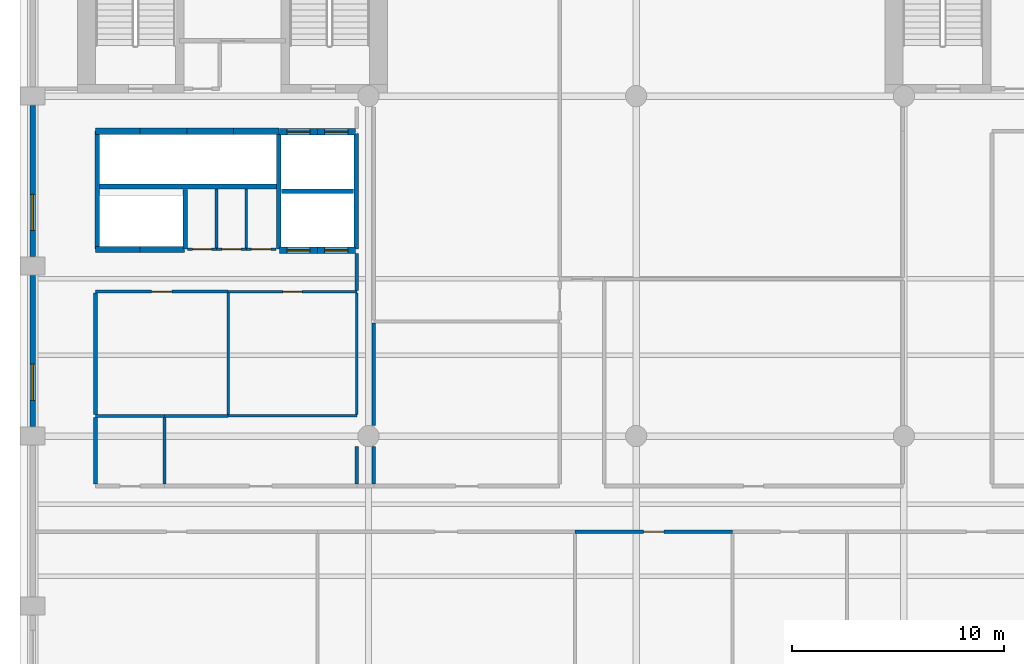
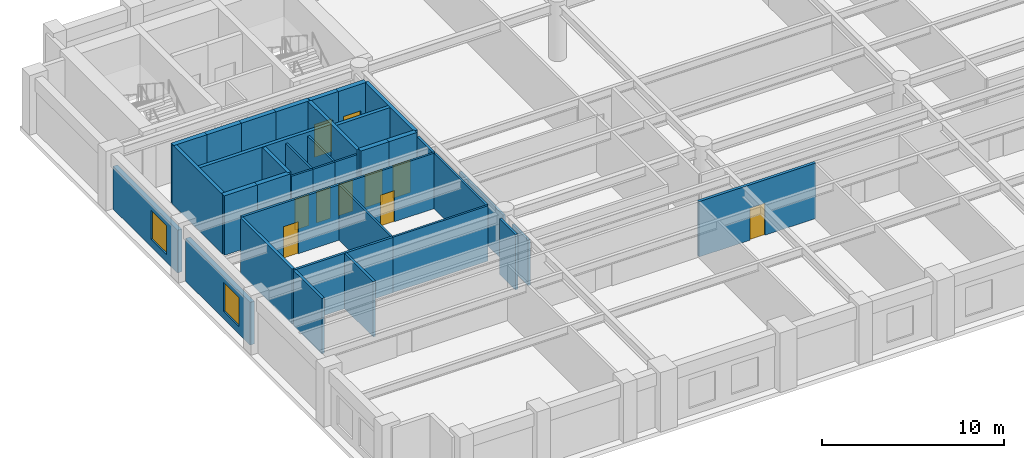
# One storey, part 3 of 8: 38 walls, 10 doors, 2 windows, 12 openings.
"""IFC4 building model written with IfcOpenShell, lengths in metres."""

from ifc_helpers import new_model, si_unit, direction, frame, frame_2d, origin, place, context, subcontext, project, spatial, rectangle, extrude, material, layer, layer_set, type_object, element, fill, save


model = new_model("IFC4")

# Units and contexts
model_context = context("Model", 3, precision=1e-05, world=origin(), true_north=direction((0.0, 1.0)))
body_context = subcontext(model_context, "Body", "Model", "MODEL_VIEW")
ifc_project = project(units=[si_unit("LENGTHUNIT", "METRE"), si_unit("AREAUNIT", "SQUARE_METRE"), si_unit("VOLUMEUNIT", "CUBIC_METRE"), si_unit("PLANEANGLEUNIT", "RADIAN"), si_unit("MASSUNIT", "GRAM", prefix="KILO")], contexts=[model_context])

# Site, building, storey
site_placement = place(None, origin())
site = spatial("IfcSite", under=ifc_project, at=site_placement, CompositionType="ELEMENT")
building_placement = place(site_placement, origin())
building = spatial("IfcBuilding", under=site, at=building_placement, Name="Sulina Concourse Tower", CompositionType="ELEMENT")
storey_placement = place(building_placement, frame((0.0, 0.0, 112.60009765625)))
storey = spatial("IfcBuildingStorey", under=building, at=storey_placement, Name="L27", CompositionType="ELEMENT", Elevation=112.60009765625)

# Walls
ifc_material_1 = material(Name="Concrete C50/60", Category="concrete")
ifc_layer_1 = layer(ifc_material_1, 0.219970703125)
ifc_layer_set_1 = layer_set([ifc_layer_1], Name="Concrete C50/60")
wall_type_1 = type_object("IfcWallType", Name="Core Lift Hoistway Divider Wall 220mm", PredefinedType="SOLIDWALL", material=ifc_layer_set_1)
wall_1_placement = place(storey_placement, frame((3.550048828125, 29.75, 0.0), z_axis=(0.0, 0.0, 1.0), x_axis=(1.0, 0.0, 0.0)))
element("IfcWall", 1, at=wall_1_placement, inside=storey, type_object=wall_type_1, Name="L27 shaft divider wall HW-LP3-S", PredefinedType="SOLIDWALL", context=body_context, shape_type="SweptSolid", body=[
    extrude(rectangle(XDim=8.64990234375, YDim=0.219970703125, at=frame_2d((4.324951171875, 0.0))), origin(), (0.0, 0.0, 1.0), 4.0),
])
wall_2_placement = place(storey_placement, frame((3.6298828125, 26.800048828125, 0.0), z_axis=(0.0, 0.0, 1.0), x_axis=(0.0, 1.0, 0.0)))
element("IfcWall", 2, at=wall_2_placement, inside=storey, type_object=wall_type_1, Name="L27 shaft divider wall HW-LP3-W", PredefinedType="SOLIDWALL", context=body_context, shape_type="SweptSolid", body=[
    extrude(rectangle(XDim=5.550048828125, YDim=0.219970703125, at=frame_2d((2.77490234375, 0.0))), origin(), (0.0, 0.0, 1.0), 4.0),
])
wall_3_placement = place(storey_placement, frame((7.780029296875, 26.800048828125, 0.0), z_axis=(0.0, 0.0, 1.0), x_axis=(0.0, 1.0, 0.0)))
element("IfcWall", 3, at=wall_3_placement, inside=storey, type_object=wall_type_1, Name="L27 shaft divider wall HW-EXP-E", PredefinedType="SOLIDWALL", context=body_context, shape_type="SweptSolid", body=[
    extrude(rectangle(XDim=2.800048828125, YDim=0.219970703125, at=frame_2d((1.39990234375, 0.0))), origin(), (0.0, 0.0, 1.0), 4.0),
])
for number, where, z_axis, x_axis, name in (
    (4, (12.179931640625, 26.800048828125, 0.0), (0.0, 0.0, 1.0), (0.0, 1.0, 0.0), "L27 shaft divider wall HW-LP2-W"),
    (5, (15.820068359375, 26.800048828125, 0.0), (0.0, 0.0, 1.0), (0.0, 1.0, 0.0), "L27 shaft divider wall HW-LP2-E"),
):
    element("IfcWall", number, at=place(storey_placement, frame(where, z_axis=z_axis, x_axis=x_axis)), inside=storey, type_object=wall_type_1, Name=name, PredefinedType="SOLIDWALL", context=body_context, shape_type="SweptSolid", body=[
        extrude(rectangle(XDim=5.449951171875, YDim=0.219970703125, at=frame_2d((2.72509765625, 0.0))), origin(), (0.0, 0.0, 1.0), 4.0),
    ])
wall_4_placement = place(storey_placement, frame((12.300048828125, 29.52001953125, 0.0), z_axis=(0.0, 0.0, 1.0), x_axis=(1.0, 0.0, 0.0)))
element("IfcWall", 6, at=wall_4_placement, inside=storey, type_object=wall_type_1, Name="L27 shaft divider wall HW-LP2-M", PredefinedType="SOLIDWALL", context=body_context, shape_type="SweptSolid", body=[
    extrude(rectangle(XDim=3.39990234375, YDim=0.219970703125, at=frame_2d((1.699951171875, 0.0))), origin(), (0.0, 0.0, 1.0), 4.0),
])

# Wall, opening, door
ifc_material_2 = material(Name="Concrete C50/60", Category="concrete")
ifc_layer_2 = layer(ifc_material_2, 0.300048828125)
ifc_layer_set_2 = layer_set([ifc_layer_2], Name="Concrete C50/60")
wall_type_2 = type_object("IfcWallType", Name="Core Lift Hoistway Wall 300mm", PredefinedType="SOLIDWALL", material=ifc_layer_set_2)
wall_5_placement = place(storey_placement, frame((14.0, 26.75, 0.0), z_axis=(0.0, 0.0, 1.0), x_axis=(-1.0, 0.0, 0.0)))
wall_5 = element("IfcWall", 7, at=wall_5_placement, inside=storey, type_object=wall_type_2, Name="L27 hoistway enclosure wall LP-05", PredefinedType="SOLIDWALL", context=body_context, shape_type="SweptSolid", body=[
    extrude(rectangle(XDim=1.780029296875, YDim=0.300048828125, at=frame_2d((0.89013671875, 0.0))), origin(), (0.0, 0.0, 1.0), 4.0),
])
opening_1_placement = place(wall_5_placement, frame((0.340087890625, 0.0, 0.0)))
opening_1 = element("IfcOpeningElement", 8, at=opening_1_placement, cuts=wall_5, Name="Opening LD-01", PredefinedType="OPENING", context=body_context, shape_type="SweptSolid", body=[
    extrude(rectangle(XDim=1.10009765625, YDim=2.199951171875, at=frame_2d((0.550048828125, 1.10009765625))), frame((0.0, 0.159912109375, 0.0), z_axis=(0.0, -1.0, 0.0), x_axis=(1.0, 0.0, 0.0)), (0.0, 0.0, 1.0), 0.320068359375),
])
ifc_material_3 = material(Name="Stainless steel lift landing door", Category="steel")
ifc_layer_3 = layer(ifc_material_3, 0.050048828125)
ifc_layer_set_3 = layer_set([ifc_layer_3], Name="Stainless steel lift landing door")
door_type_1 = type_object("IfcDoorType", Name="Passenger Lift Sliding Landing Door 1100x2200", OperationType="SLIDING_TO_LEFT", PredefinedType="DOOR", material=ifc_layer_set_3)
door_1_placement = place(opening_1_placement, origin())
door_1 = element("IfcDoor", 9, at=door_1_placement, inside=storey, type_object=door_type_1, Name="L27 lift landing sliding door LP-05", OperationType="SLIDING_TO_LEFT", OverallHeight=2.199951171875, OverallWidth=1.10009765625, PredefinedType="DOOR", context=body_context, shape_type="SweptSolid", body=[
    extrude(rectangle(XDim=1.10009765625, YDim=2.199951171875, at=frame_2d((0.550048828125, 1.10009765625))), frame((0.0, 0.02490234375, 0.0), z_axis=(0.0, -1.0, 0.0), x_axis=(1.0, 0.0, 0.0)), (0.0, 0.0, 1.0), 0.050048828125),
])
fill(opening_1, door_1)

wall_6_placement = place(storey_placement, frame((15.780029296875, 26.75, 0.0), z_axis=(0.0, 0.0, 1.0), x_axis=(-1.0, 0.0, 0.0)))
wall_6 = element("IfcWall", 10, at=wall_6_placement, inside=storey, type_object=wall_type_2, Name="L27 hoistway enclosure wall LP-06", PredefinedType="SOLIDWALL", context=body_context, shape_type="SweptSolid", body=[
    extrude(rectangle(XDim=1.780029296875, YDim=0.300048828125, at=frame_2d((0.89013671875, 0.0))), origin(), (0.0, 0.0, 1.0), 4.0),
])
opening_2_placement = place(wall_6_placement, frame((0.340087890625, 0.0, 0.0)))
opening_2 = element("IfcOpeningElement", 11, at=opening_2_placement, cuts=wall_6, Name="Opening LD-01", PredefinedType="OPENING", context=body_context, shape_type="SweptSolid", body=[
    extrude(rectangle(XDim=1.10009765625, YDim=2.199951171875, at=frame_2d((0.550048828125, 1.10009765625))), frame((0.0, 0.159912109375, 0.0), z_axis=(0.0, -1.0, 0.0), x_axis=(1.0, 0.0, 0.0)), (0.0, 0.0, 1.0), 0.320068359375),
])
door_2_placement = place(opening_2_placement, origin())
door_2 = element("IfcDoor", 12, at=door_2_placement, inside=storey, type_object=door_type_1, Name="L27 lift landing sliding door LP-06", OperationType="SLIDING_TO_RIGHT", OverallHeight=2.199951171875, OverallWidth=1.10009765625, PredefinedType="DOOR", context=body_context, shape_type="SweptSolid", body=[
    extrude(rectangle(XDim=1.10009765625, YDim=2.199951171875, at=frame_2d((0.550048828125, 1.10009765625))), frame((0.0, 0.02490234375, 0.0), z_axis=(0.0, -1.0, 0.0), x_axis=(1.0, 0.0, 0.0)), (0.0, 0.0, 1.0), 0.050048828125),
])
fill(opening_2, door_2)

wall_7_placement = place(storey_placement, frame((12.219970703125, 32.320068359375, 0.0), z_axis=(0.0, 0.0, 1.0), x_axis=(1.0, 0.0, 0.0)))
wall_7 = element("IfcWall", 13, at=wall_7_placement, inside=storey, type_object=wall_type_2, Name="L27 hoistway enclosure wall LP-07", PredefinedType="SOLIDWALL", context=body_context, shape_type="SweptSolid", body=[
    extrude(rectangle(XDim=1.780029296875, YDim=0.300048828125, at=frame_2d((0.89013671875, 0.0))), origin(), (0.0, 0.0, 1.0), 4.0),
])
opening_3_placement = place(wall_7_placement, frame((0.340087890625, 0.0, 0.0)))
opening_3 = element("IfcOpeningElement", 14, at=opening_3_placement, cuts=wall_7, Name="Opening LD-01", PredefinedType="OPENING", context=body_context, shape_type="SweptSolid", body=[
    extrude(rectangle(XDim=1.10009765625, YDim=2.199951171875, at=frame_2d((0.550048828125, 1.10009765625))), frame((0.0, 0.159912109375, 0.0), z_axis=(0.0, -1.0, 0.0), x_axis=(1.0, 0.0, 0.0)), (0.0, 0.0, 1.0), 0.320068359375),
])
door_3_placement = place(opening_3_placement, origin())
door_3 = element("IfcDoor", 15, at=door_3_placement, inside=storey, type_object=door_type_1, Name="L27 lift landing sliding door LP-07", OperationType="SLIDING_TO_LEFT", OverallHeight=2.199951171875, OverallWidth=1.10009765625, PredefinedType="DOOR", context=body_context, shape_type="SweptSolid", body=[
    extrude(rectangle(XDim=1.10009765625, YDim=2.199951171875, at=frame_2d((0.550048828125, 1.10009765625))), frame((0.0, 0.02490234375, 0.0), z_axis=(0.0, -1.0, 0.0), x_axis=(1.0, 0.0, 0.0)), (0.0, 0.0, 1.0), 0.050048828125),
])
fill(opening_3, door_3)

wall_8_placement = place(storey_placement, frame((14.0, 32.320068359375, 0.0), z_axis=(0.0, 0.0, 1.0), x_axis=(1.0, 0.0, 0.0)))
wall_8 = element("IfcWall", 16, at=wall_8_placement, inside=storey, type_object=wall_type_2, Name="L27 hoistway enclosure wall LP-08", PredefinedType="SOLIDWALL", context=body_context, shape_type="SweptSolid", body=[
    extrude(rectangle(XDim=1.780029296875, YDim=0.300048828125, at=frame_2d((0.89013671875, 0.0))), origin(), (0.0, 0.0, 1.0), 4.0),
])
opening_4_placement = place(wall_8_placement, frame((0.340087890625, 0.0, 0.0)))
opening_4 = element("IfcOpeningElement", 17, at=opening_4_placement, cuts=wall_8, Name="Opening LD-01", PredefinedType="OPENING", context=body_context, shape_type="SweptSolid", body=[
    extrude(rectangle(XDim=1.10009765625, YDim=2.199951171875, at=frame_2d((0.550048828125, 1.10009765625))), frame((0.0, 0.159912109375, 0.0), z_axis=(0.0, -1.0, 0.0), x_axis=(1.0, 0.0, 0.0)), (0.0, 0.0, 1.0), 0.320068359375),
])
door_4_placement = place(opening_4_placement, origin())
door_4 = element("IfcDoor", 18, at=door_4_placement, inside=storey, type_object=door_type_1, Name="L27 lift landing sliding door LP-08", OperationType="SLIDING_TO_RIGHT", OverallHeight=2.199951171875, OverallWidth=1.10009765625, PredefinedType="DOOR", context=body_context, shape_type="SweptSolid", body=[
    extrude(rectangle(XDim=1.10009765625, YDim=2.199951171875, at=frame_2d((0.550048828125, 1.10009765625))), frame((0.0, 0.02490234375, 0.0), z_axis=(0.0, -1.0, 0.0), x_axis=(1.0, 0.0, 0.0)), (0.0, 0.0, 1.0), 0.050048828125),
])
fill(opening_4, door_4)

# Walls
wall_9_placement = place(storey_placement, frame((3.550048828125, 32.35009765625, 0.0), z_axis=(0.0, 0.0, 1.0), x_axis=(1.0, 0.0, 0.0)))
element("IfcWall", 19, at=wall_9_placement, inside=storey, type_object=wall_type_2, Name="L27 hoistway enclosure wall LP-09", PredefinedType="SOLIDWALL", context=body_context, shape_type="SweptSolid", body=[
    extrude(rectangle(XDim=2.099853515625, YDim=0.300048828125, at=frame_2d((1.0498046875, 0.0))), origin(), (0.0, 0.0, 1.0), 4.0),
])
wall_10_placement = place(storey_placement, frame((5.64990234375, 32.35009765625, 0.0), z_axis=(0.0, 0.0, 1.0), x_axis=(1.0, 0.0, 0.0)))
element("IfcWall", 20, at=wall_10_placement, inside=storey, type_object=wall_type_2, Name="L27 hoistway enclosure wall LP-10", PredefinedType="SOLIDWALL", context=body_context, shape_type="SweptSolid", body=[
    extrude(rectangle(XDim=2.2001953125, YDim=0.300048828125, at=frame_2d((1.10009765625, 0.0))), origin(), (0.0, 0.0, 1.0), 4.0),
])
wall_11_placement = place(storey_placement, frame((7.85009765625, 32.35009765625, 0.0), z_axis=(0.0, 0.0, 1.0), x_axis=(1.0, 0.0, 0.0)))
element("IfcWall", 21, at=wall_11_placement, inside=storey, type_object=wall_type_2, Name="L27 hoistway enclosure wall LP-11", PredefinedType="SOLIDWALL", context=body_context, shape_type="SweptSolid", body=[
    extrude(rectangle(XDim=2.199951171875, YDim=0.300048828125, at=frame_2d((1.10009765625, 0.0))), origin(), (0.0, 0.0, 1.0), 4.0),
])
wall_12_placement = place(storey_placement, frame((10.050048828125, 32.35009765625, 0.0), z_axis=(0.0, 0.0, 1.0), x_axis=(1.0, 0.0, 0.0)))
element("IfcWall", 22, at=wall_12_placement, inside=storey, type_object=wall_type_2, Name="L27 hoistway enclosure wall LP-12", PredefinedType="SOLIDWALL", context=body_context, shape_type="SweptSolid", body=[
    extrude(rectangle(XDim=2.14990234375, YDim=0.300048828125, at=frame_2d((1.074951171875, 0.0))), origin(), (0.0, 0.0, 1.0), 4.0),
])
wall_13_placement = place(storey_placement, frame((5.64990234375, 26.780029296875, 0.0), z_axis=(0.0, 0.0, 1.0), x_axis=(-1.0, 0.0, 0.0)))
element("IfcWall", 23, at=wall_13_placement, inside=storey, type_object=wall_type_2, Name="L27 hoistway enclosure wall EXP-1", PredefinedType="SOLIDWALL", context=body_context, shape_type="SweptSolid", body=[
    extrude(rectangle(XDim=2.099853515625, YDim=0.300048828125, at=frame_2d((1.0498046875, 0.0))), origin(), (0.0, 0.0, 1.0), 4.0),
])
wall_14_placement = place(storey_placement, frame((7.75, 26.780029296875, 0.0), z_axis=(0.0, 0.0, 1.0), x_axis=(-1.0, 0.0, 0.0)))
element("IfcWall", 24, at=wall_14_placement, inside=storey, type_object=wall_type_2, Name="L27 hoistway enclosure wall EXP-2", PredefinedType="SOLIDWALL", context=body_context, shape_type="SweptSolid", body=[
    extrude(rectangle(XDim=2.10009765625, YDim=0.300048828125, at=frame_2d((1.050048828125, 0.0))), origin(), (0.0, 0.0, 1.0), 4.0),
])
ifc_material_4 = material(Name="Gypsum board on steel stud", Category="steel")
ifc_layer_4 = layer(ifc_material_4, 0.14990234375)
ifc_layer_set_4 = layer_set([ifc_layer_4], Name="Gypsum board on steel stud")
wall_type_3 = type_object("IfcWallType", Name="Inter-Tenancy Acoustic Partition 150mm", PredefinedType="PARTITIONING", material=ifc_layer_set_4)
wall_15_placement = place(storey_placement, frame((3.550048828125, 18.949951171875, 0.0), z_axis=(0.0, 0.0, 1.0), x_axis=(1.0, 0.0, 0.0)))
element("IfcWall", 25, at=wall_15_placement, inside=storey, type_object=wall_type_3, Name="L27 interior partition 013", PredefinedType="PARTITIONING", context=body_context, shape_type="SweptSolid", body=[
    extrude(rectangle(XDim=3.25, YDim=0.14990234375, at=frame_2d((1.625, 0.0))), origin(), (0.0, 0.0, 1.0), 3.724853515625),
])
wall_16_placement = place(storey_placement, frame((6.800048828125, 18.949951171875, 0.0), z_axis=(0.0, 0.0, 1.0), x_axis=(1.0, 0.0, 0.0)))
element("IfcWall", 26, at=wall_16_placement, inside=storey, type_object=wall_type_3, Name="L27 interior partition 014", PredefinedType="PARTITIONING", context=body_context, shape_type="SweptSolid", body=[
    extrude(rectangle(XDim=3.0, YDim=0.14990234375, at=frame_2d((1.5, 0.0))), origin(), (0.0, 0.0, 1.0), 3.724853515625),
])

# Wall, opening, door
wall_17_placement = place(storey_placement, frame((3.550048828125, 24.800048828125, 0.0), z_axis=(0.0, 0.0, 1.0), x_axis=(1.0, 0.0, 0.0)))
wall_17 = element("IfcWall", 27, at=wall_17_placement, inside=storey, type_object=wall_type_3, Name="L27 interior partition 017", PredefinedType="PARTITIONING", context=body_context, shape_type="SweptSolid", body=[
    extrude(rectangle(XDim=6.25, YDim=0.14990234375, at=frame_2d((3.125, 0.0))), origin(), (0.0, 0.0, 1.0), 3.724853515625),
])
opening_5_placement = place(wall_17_placement, frame((2.64990234375, 0.0, 0.0)))
opening_5 = element("IfcOpeningElement", 28, at=opening_5_placement, cuts=wall_17, Name="Opening DR-19", PredefinedType="OPENING", context=body_context, shape_type="SweptSolid", body=[
    extrude(rectangle(XDim=0.949951171875, YDim=2.14990234375, at=frame_2d((0.47509765625, 1.074951171875))), frame((0.0, 0.0849609375, 0.0), z_axis=(0.0, -1.0, 0.0), x_axis=(1.0, 0.0, 0.0)), (0.0, 0.0, 1.0), 0.169921875),
])
ifc_material_5 = material(Name="Oak-veneered acoustic timber leaf", Category="wood")
ifc_layer_5 = layer(ifc_material_5, 0.050048828125)
ifc_layer_set_5 = layer_set([ifc_layer_5], Name="Oak-veneered acoustic timber leaf")
door_type_2 = type_object("IfcDoorType", Name="Cellular Office & Meeting Door 950x2150", OperationType="NOTDEFINED", PredefinedType="DOOR", material=ifc_layer_set_5)
door_5_placement = place(opening_5_placement, origin())
door_5 = element("IfcDoor", 29, at=door_5_placement, inside=storey, type_object=door_type_2, Name="L27 interior door L27-LR-MRG1", OperationType="SINGLE_SWING_RIGHT", OverallHeight=2.14990234375, OverallWidth=0.949951171875, PredefinedType="DOOR", context=body_context, shape_type="SweptSolid", body=[
    extrude(rectangle(XDim=0.949951171875, YDim=2.14990234375, at=frame_2d((0.47509765625, 1.074951171875))), frame((0.0, 0.02490234375, 0.0), z_axis=(0.0, -1.0, 0.0), x_axis=(1.0, 0.0, 0.0)), (0.0, 0.0, 1.0), 0.050048828125),
])
fill(opening_5, door_5)

# Walls
wall_18_placement = place(storey_placement, frame((6.800048828125, 15.739990234375, 0.0), z_axis=(0.0, 0.0, 1.0), x_axis=(0.0, 1.0, 0.0)))
element("IfcWall", 30, at=wall_18_placement, inside=storey, type_object=wall_type_3, Name="L27 interior partition 032", PredefinedType="PARTITIONING", context=body_context, shape_type="SweptSolid", body=[
    extrude(rectangle(XDim=3.135009765625, YDim=0.14990234375, at=frame_2d((1.5673828125, 0.0))), origin(), (0.0, 0.0, 1.0), 3.724853515625),
])
wall_19_placement = place(storey_placement, frame((15.85009765625, 15.739990234375, 0.0), z_axis=(0.0, 0.0, 1.0), x_axis=(0.0, 1.0, 0.0)))
element("IfcWall", 31, at=wall_19_placement, inside=storey, type_object=wall_type_3, Name="L27 interior partition 038", PredefinedType="PARTITIONING", context=body_context, shape_type="SweptSolid", body=[
    extrude(rectangle(XDim=1.760009765625, YDim=0.14990234375, at=frame_2d((0.8798828125, 0.0))), origin(), (0.0, 0.0, 1.0), 3.724853515625),
])
wall_20_placement = place(storey_placement, frame((15.85009765625, 24.862548828125, 0.0), z_axis=(0.0, 0.0, 1.0), x_axis=(0.0, 1.0, 0.0)))
element("IfcWall", 32, at=wall_20_placement, inside=storey, type_object=wall_type_3, Name="L27 interior partition 040", PredefinedType="PARTITIONING", context=body_context, shape_type="SweptSolid", body=[
    extrude(rectangle(XDim=1.737548828125, YDim=0.14990234375, at=frame_2d((0.86865234375, 0.0))), origin(), (0.0, 0.0, 1.0), 3.724853515625),
])
wall_21_placement = place(storey_placement, frame((16.64990234375, 15.739990234375, 0.0), z_axis=(0.0, 0.0, 1.0), x_axis=(0.0, 1.0, 0.0)))
element("IfcWall", 33, at=wall_21_placement, inside=storey, type_object=wall_type_3, Name="L27 interior partition 042", PredefinedType="PARTITIONING", context=body_context, shape_type="SweptSolid", body=[
    extrude(rectangle(XDim=1.760009765625, YDim=0.14990234375, at=frame_2d((0.8798828125, 0.0))), origin(), (0.0, 0.0, 1.0), 3.06982421875),
])
wall_22_placement = place(storey_placement, frame((16.64990234375, 18.5, 0.0), z_axis=(0.0, 0.0, 1.0), x_axis=(0.0, 1.0, 0.0)))
element("IfcWall", 34, at=wall_22_placement, inside=storey, type_object=wall_type_3, Name="L27 interior partition 043", PredefinedType="PARTITIONING", context=body_context, shape_type="SweptSolid", body=[
    extrude(rectangle(XDim=4.824951171875, YDim=0.14990234375, at=frame_2d((2.41259765625, 0.0))), origin(), (0.0, 0.0, 1.0), 3.06982421875),
])

# Wall, opening, door
ifc_material_6 = material(Name="Gypsum board on steel stud", Category="steel")
ifc_layer_6 = layer(ifc_material_6, 0.179931640625)
ifc_layer_set_6 = layer_set([ifc_layer_6], Name="Gypsum board on steel stud")
wall_type_4 = type_object("IfcWallType", Name="Protected Corridor & Riser Partition 180mm", PredefinedType="PARTITIONING", material=ifc_layer_set_6)
wall_23_placement = place(storey_placement, frame((26.1201171875, 13.5, 0.0), z_axis=(0.0, 0.0, 1.0), x_axis=(1.0, 0.0, 0.0)))
wall_23 = element("IfcWall", 35, at=wall_23_placement, inside=storey, type_object=wall_type_4, Name="L27 interior partition 003", PredefinedType="PARTITIONING", context=body_context, shape_type="SweptSolid", body=[
    extrude(rectangle(XDim=7.419921875, YDim=0.179931640625, at=frame_2d((3.7099609375, 0.0))), origin(), (0.0, 0.0, 1.0), 3.724853515625),
])
opening_6_placement = place(wall_23_placement, frame((3.235107421875, 0.0, 0.0)))
opening_6 = element("IfcOpeningElement", 36, at=opening_6_placement, cuts=wall_23, Name="Opening DR-19", PredefinedType="OPENING", context=body_context, shape_type="SweptSolid", body=[
    extrude(rectangle(XDim=0.949951171875, YDim=2.14990234375, at=frame_2d((0.47509765625, 1.074951171875))), frame((0.0, 0.099853515625, 0.0), z_axis=(0.0, -1.0, 0.0), x_axis=(1.0, 0.0, 0.0)), (0.0, 0.0, 1.0), 0.199951171875),
])
door_6_placement = place(opening_6_placement, origin())
door_6 = element("IfcDoor", 37, at=door_6_placement, inside=storey, type_object=door_type_2, Name="L27 interior door L27-S03A", OperationType="SINGLE_SWING_LEFT", OverallHeight=2.14990234375, OverallWidth=0.949951171875, PredefinedType="DOOR", context=body_context, shape_type="SweptSolid", body=[
    extrude(rectangle(XDim=0.949951171875, YDim=2.14990234375, at=frame_2d((0.47509765625, 1.074951171875))), frame((0.0, 0.02490234375, 0.0), z_axis=(0.0, -1.0, 0.0), x_axis=(1.0, 0.0, 0.0)), (0.0, 0.0, 1.0), 0.050048828125),
])
fill(opening_6, door_6)

# Walls
wall_24_placement = place(storey_placement, frame((3.550048828125, 15.739990234375, 0.0), z_axis=(0.0, 0.0, 1.0), x_axis=(0.0, 1.0, 0.0)))
element("IfcWall", 38, at=wall_24_placement, inside=storey, type_object=wall_type_4, Name="L27 interior partition 030", PredefinedType="PARTITIONING", context=body_context, shape_type="SweptSolid", body=[
    extrude(rectangle(XDim=3.135009765625, YDim=0.179931640625, at=frame_2d((1.5673828125, 0.0))), origin(), (0.0, 0.0, 1.0), 3.724853515625),
])
wall_25_placement = place(storey_placement, frame((3.550048828125, 19.02490234375, 0.0), z_axis=(0.0, 0.0, 1.0), x_axis=(0.0, 1.0, 0.0)))
element("IfcWall", 39, at=wall_25_placement, inside=storey, type_object=wall_type_4, Name="L27 interior partition 031", PredefinedType="PARTITIONING", context=body_context, shape_type="SweptSolid", body=[
    extrude(rectangle(XDim=5.7001953125, YDim=0.179931640625, at=frame_2d((2.85009765625, 0.0))), origin(), (0.0, 0.0, 1.0), 3.724853515625),
])

# Wall, opening, window
ifc_material_7 = material(Name="Precast concrete C50/60", Category="concrete")
ifc_layer_7 = layer(ifc_material_7, 0.280029296875)
ifc_layer_set_7 = layer_set([ifc_layer_7], Name="Precast concrete C50/60")
wall_type_5 = type_object("IfcWallType", Name="Typical Precast Masonry-Frame Facade Wall 280mm", PredefinedType="SOLIDWALL", material=ifc_layer_set_7)
wall_26_placement = place(storey_placement, frame((0.60009765625, 18.445068359375, 0.0), z_axis=(0.0, 0.0, 1.0), x_axis=(0.0, 1.0, 0.0)))
wall_26 = element("IfcWall", 40, at=wall_26_placement, inside=storey, type_object=wall_type_5, Name="L27 exterior precast wall W3", PredefinedType="SOLIDWALL", context=body_context, shape_type="SweptSolid", body=[
    extrude(rectangle(XDim=7.10986328125, YDim=0.280029296875, at=frame_2d((3.554931640625, 0.0))), origin(), (0.0, 0.0, 1.0), 2.875),
])
opening_7_placement = place(wall_26_placement, frame((1.23681640625, 0.0, 0.5)))
opening_7 = element("IfcOpeningElement", 41, at=opening_7_placement, cuts=wall_26, Name="Opening WN-66", PredefinedType="OPENING", context=body_context, shape_type="SweptSolid", body=[
    extrude(rectangle(XDim=1.699951171875, YDim=1.949951171875, at=frame_2d((0.85009765625, 0.97509765625))), frame((0.0, 0.14990234375, 0.0), z_axis=(0.0, -1.0, 0.0), x_axis=(1.0, 0.0, 0.0)), (0.0, 0.0, 1.0), 0.300048828125),
])
ifc_material_8 = material(Name="Low-E solar double glazing in bronze aluminium", Category="aluminium")
window_type = type_object("IfcWindowType", Name="Recessed Spandrel Window 1700x1950", PartitioningType="SINGLE_PANEL", PredefinedType="WINDOW", material=ifc_material_8)
window_1_placement = place(opening_7_placement, origin())
window_1 = element("IfcWindow", 42, at=window_1_placement, inside=storey, type_object=window_type, Name="L27 punched window W3-1", OverallHeight=1.949951171875, OverallWidth=1.699951171875, PartitioningType="SINGLE_PANEL", PredefinedType="WINDOW", context=body_context, shape_type="SweptSolid", body=[
    extrude(rectangle(XDim=1.699951171875, YDim=1.949951171875, at=frame_2d((0.85009765625, 0.97509765625))), frame((0.0, 0.030029296875, 0.0), z_axis=(0.0, -1.0, 0.0), x_axis=(1.0, 0.0, 0.0)), (0.0, 0.0, 1.0), 0.06005859375),
])
fill(opening_7, window_1)

wall_27_placement = place(storey_placement, frame((0.60009765625, 26.445068359375, 0.0), z_axis=(0.0, 0.0, 1.0), x_axis=(0.0, 1.0, 0.0)))
wall_27 = element("IfcWall", 43, at=wall_27_placement, inside=storey, type_object=wall_type_5, Name="L27 exterior precast wall W4", PredefinedType="SOLIDWALL", context=body_context, shape_type="SweptSolid", body=[
    extrude(rectangle(XDim=7.10986328125, YDim=0.280029296875, at=frame_2d((3.554931640625, 0.0))), origin(), (0.0, 0.0, 1.0), 2.875),
])
opening_8_placement = place(wall_27_placement, frame((1.23681640625, 0.0, 0.5)))
opening_8 = element("IfcOpeningElement", 44, at=opening_8_placement, cuts=wall_27, Name="Opening WN-66", PredefinedType="OPENING", context=body_context, shape_type="SweptSolid", body=[
    extrude(rectangle(XDim=1.699951171875, YDim=1.949951171875, at=frame_2d((0.85009765625, 0.97509765625))), frame((0.0, 0.14990234375, 0.0), z_axis=(0.0, -1.0, 0.0), x_axis=(1.0, 0.0, 0.0)), (0.0, 0.0, 1.0), 0.300048828125),
])
window_2_placement = place(opening_8_placement, origin())
window_2 = element("IfcWindow", 45, at=window_2_placement, inside=storey, type_object=window_type, Name="L27 punched window W4-1", OverallHeight=1.949951171875, OverallWidth=1.699951171875, PartitioningType="SINGLE_PANEL", PredefinedType="WINDOW", context=body_context, shape_type="SweptSolid", body=[
    extrude(rectangle(XDim=1.699951171875, YDim=1.949951171875, at=frame_2d((0.85009765625, 0.97509765625))), frame((0.0, 0.030029296875, 0.0), z_axis=(0.0, -1.0, 0.0), x_axis=(1.0, 0.0, 0.0)), (0.0, 0.0, 1.0), 0.06005859375),
])
fill(opening_8, window_2)

# Wall
ifc_material_9 = material(Name="Gypsum board on steel stud", Category="steel")
ifc_layer_8 = layer(ifc_material_9, 0.125)
ifc_layer_set_8 = layer_set([ifc_layer_8], Name="Gypsum board on steel stud")
wall_type_6 = type_object("IfcWallType", Name="Wet-Area Moisture-Resistant Partition 125mm", PredefinedType="PARTITIONING", material=ifc_layer_set_8)
wall_28_placement = place(storey_placement, frame((9.800048828125, 18.949951171875, 0.0), z_axis=(0.0, 0.0, 1.0), x_axis=(1.0, 0.0, 0.0)))
element("IfcWall", 46, at=wall_28_placement, inside=storey, type_object=wall_type_6, Name="L27 interior partition 015", PredefinedType="PARTITIONING", context=body_context, shape_type="SweptSolid", body=[
    extrude(rectangle(XDim=6.050048828125, YDim=0.125, at=frame_2d((3.02490234375, 0.0))), origin(), (0.0, 0.0, 1.0), 3.724853515625),
])

# Wall, opening, door
wall_29_placement = place(storey_placement, frame((9.800048828125, 24.800048828125, 0.0), z_axis=(0.0, 0.0, 1.0), x_axis=(1.0, 0.0, 0.0)))
wall_29 = element("IfcWall", 47, at=wall_29_placement, inside=storey, type_object=wall_type_6, Name="L27 interior partition 018", PredefinedType="PARTITIONING", context=body_context, shape_type="SweptSolid", body=[
    extrude(rectangle(XDim=6.050048828125, YDim=0.125, at=frame_2d((3.02490234375, 0.0))), origin(), (0.0, 0.0, 1.0), 3.724853515625),
])
opening_9_placement = place(wall_29_placement, frame((2.574951171875, 0.0, 0.0)))
opening_9 = element("IfcOpeningElement", 48, at=opening_9_placement, cuts=wall_29, Name="Opening DR-21", PredefinedType="OPENING", context=body_context, shape_type="SweptSolid", body=[
    extrude(rectangle(XDim=0.89990234375, YDim=2.10009765625, at=frame_2d((0.449951171875, 1.050048828125))), frame((0.0, 0.072509765625, 0.0), z_axis=(0.0, -1.0, 0.0), x_axis=(1.0, 0.0, 0.0)), (0.0, 0.0, 1.0), 0.14501953125),
])
ifc_material_10 = material(Name="Oak-veneered fire door leaf")
ifc_layer_9 = layer(ifc_material_10, 0.050048828125)
ifc_layer_set_9 = layer_set([ifc_layer_9], Name="Oak-veneered fire door leaf")
door_type_3 = type_object("IfcDoorType", Name="Restroom & Service Door 900x2100", OperationType="NOTDEFINED", PredefinedType="DOOR", material=ifc_layer_set_9)
door_7_placement = place(opening_9_placement, origin())
door_7 = element("IfcDoor", 49, at=door_7_placement, inside=storey, type_object=door_type_3, Name="L27 interior door L27-LR-MRG2", OperationType="SINGLE_SWING_LEFT", OverallHeight=2.10009765625, OverallWidth=0.89990234375, PredefinedType="DOOR", context=body_context, shape_type="SweptSolid", body=[
    extrude(rectangle(XDim=0.89990234375, YDim=2.10009765625, at=frame_2d((0.449951171875, 1.050048828125))), frame((0.0, 0.02490234375, 0.0), z_axis=(0.0, -1.0, 0.0), x_axis=(1.0, 0.0, 0.0)), (0.0, 0.0, 1.0), 0.050048828125),
])
fill(opening_9, door_7)

wall_30_placement = place(storey_placement, frame((7.889892578125, 26.800048828125, 0.0), z_axis=(0.0, 0.0, 1.0), x_axis=(1.0, 0.0, 0.0)))
wall_30 = element("IfcWall", 50, at=wall_30_placement, inside=storey, type_object=wall_type_6, Name="L27 interior partition 021", PredefinedType="PARTITIONING", context=body_context, shape_type="SweptSolid", body=[
    extrude(rectangle(XDim=1.360107421875, YDim=0.125, at=frame_2d((0.68017578125, 0.0))), origin(), (0.0, 0.0, 1.0), 3.724853515625),
])
opening_10_placement = place(wall_30_placement, frame((0.22998046875, 0.0, 0.0)))
opening_10 = element("IfcOpeningElement", 51, at=opening_10_placement, cuts=wall_30, Name="Opening DR-21", PredefinedType="OPENING", context=body_context, shape_type="SweptSolid", body=[
    extrude(rectangle(XDim=0.89990234375, YDim=2.10009765625, at=frame_2d((0.449951171875, 1.050048828125))), frame((0.0, 0.072509765625, 0.0), z_axis=(0.0, -1.0, 0.0), x_axis=(1.0, 0.0, 0.0)), (0.0, 0.0, 1.0), 0.14501953125),
])
door_8_placement = place(opening_10_placement, origin())
door_8 = element("IfcDoor", 52, at=door_8_placement, inside=storey, type_object=door_type_3, Name="L27 interior door L27-WC-M", OperationType="SINGLE_SWING_LEFT", OverallHeight=2.10009765625, OverallWidth=0.89990234375, PredefinedType="DOOR", context=body_context, shape_type="SweptSolid", body=[
    extrude(rectangle(XDim=0.89990234375, YDim=2.10009765625, at=frame_2d((0.449951171875, 1.050048828125))), frame((0.0, 0.02490234375, 0.0), z_axis=(0.0, -1.0, 0.0), x_axis=(1.0, 0.0, 0.0)), (0.0, 0.0, 1.0), 0.050048828125),
])
fill(opening_10, door_8)

wall_31_placement = place(storey_placement, frame((9.25, 26.800048828125, 0.0), z_axis=(0.0, 0.0, 1.0), x_axis=(1.0, 0.0, 0.0)))
wall_31 = element("IfcWall", 53, at=wall_31_placement, inside=storey, type_object=wall_type_6, Name="L27 interior partition 022", PredefinedType="PARTITIONING", context=body_context, shape_type="SweptSolid", body=[
    extrude(rectangle(XDim=1.39990234375, YDim=0.125, at=frame_2d((0.699951171875, 0.0))), origin(), (0.0, 0.0, 1.0), 3.724853515625),
])
opening_11_placement = place(wall_31_placement, frame((0.25, 0.0, 0.0)))
opening_11 = element("IfcOpeningElement", 54, at=opening_11_placement, cuts=wall_31, Name="Opening DR-21", PredefinedType="OPENING", context=body_context, shape_type="SweptSolid", body=[
    extrude(rectangle(XDim=0.89990234375, YDim=2.10009765625, at=frame_2d((0.449951171875, 1.050048828125))), frame((0.0, 0.072509765625, 0.0), z_axis=(0.0, -1.0, 0.0), x_axis=(1.0, 0.0, 0.0)), (0.0, 0.0, 1.0), 0.14501953125),
])
door_9_placement = place(opening_11_placement, origin())
door_9 = element("IfcDoor", 55, at=door_9_placement, inside=storey, type_object=door_type_3, Name="L27 interior door L27-WC-F", OperationType="SINGLE_SWING_RIGHT", OverallHeight=2.10009765625, OverallWidth=0.89990234375, PredefinedType="DOOR", context=body_context, shape_type="SweptSolid", body=[
    extrude(rectangle(XDim=0.89990234375, YDim=2.10009765625, at=frame_2d((0.449951171875, 1.050048828125))), frame((0.0, 0.02490234375, 0.0), z_axis=(0.0, -1.0, 0.0), x_axis=(1.0, 0.0, 0.0)), (0.0, 0.0, 1.0), 0.050048828125),
])
fill(opening_11, door_9)

wall_32_placement = place(storey_placement, frame((10.64990234375, 26.800048828125, 0.0), z_axis=(0.0, 0.0, 1.0), x_axis=(1.0, 0.0, 0.0)))
wall_32 = element("IfcWall", 56, at=wall_32_placement, inside=storey, type_object=wall_type_6, Name="L27 interior partition 023", PredefinedType="PARTITIONING", context=body_context, shape_type="SweptSolid", body=[
    extrude(rectangle(XDim=1.400146484375, YDim=0.125, at=frame_2d((0.7001953125, 0.0))), origin(), (0.0, 0.0, 1.0), 3.724853515625),
])
opening_12_placement = place(wall_32_placement, frame((0.239990234375, 0.0, 0.0)))
opening_12 = element("IfcOpeningElement", 57, at=opening_12_placement, cuts=wall_32, Name="Opening DR-61", PredefinedType="OPENING", context=body_context, shape_type="SweptSolid", body=[
    extrude(rectangle(XDim=0.919921875, YDim=2.10009765625, at=frame_2d((0.4599609375, 1.050048828125))), frame((0.0, 0.072509765625, 0.0), z_axis=(0.0, -1.0, 0.0), x_axis=(1.0, 0.0, 0.0)), (0.0, 0.0, 1.0), 0.14501953125),
])
ifc_material_11 = material(Name="Oak-veneered fire door leaf")
ifc_layer_10 = layer(ifc_material_11, 0.050048828125)
ifc_layer_set_10 = layer_set([ifc_layer_10], Name="Oak-veneered fire door leaf")
door_type_4 = type_object("IfcDoorType", Name="Accessible WC Door 920x2100", OperationType="NOTDEFINED", PredefinedType="DOOR", material=ifc_layer_set_10)
door_10_placement = place(opening_12_placement, origin())
door_10 = element("IfcDoor", 58, at=door_10_placement, inside=storey, type_object=door_type_4, Name="L27 interior door L27-WC-ACC", OperationType="SINGLE_SWING_LEFT", OverallHeight=2.10009765625, OverallWidth=0.919921875, PredefinedType="DOOR", context=body_context, shape_type="SweptSolid", body=[
    extrude(rectangle(XDim=0.919921875, YDim=2.10009765625, at=frame_2d((0.4599609375, 1.050048828125))), frame((0.0, 0.02490234375, 0.0), z_axis=(0.0, -1.0, 0.0), x_axis=(1.0, 0.0, 0.0)), (0.0, 0.0, 1.0), 0.050048828125),
])
fill(opening_12, door_10)

# Walls
wall_33_placement = place(storey_placement, frame((9.25, 26.862548828125, 0.0), z_axis=(0.0, 0.0, 1.0), x_axis=(0.0, 1.0, 0.0)))
element("IfcWall", 59, at=wall_33_placement, inside=storey, type_object=wall_type_6, Name="L27 interior partition 033", PredefinedType="PARTITIONING", context=body_context, shape_type="SweptSolid", body=[
    extrude(rectangle(XDim=2.77734375, YDim=0.125, at=frame_2d((1.388671875, 0.0))), origin(), (0.0, 0.0, 1.0), 3.724853515625),
])
wall_34_placement = place(storey_placement, frame((9.800048828125, 19.02490234375, 0.0), z_axis=(0.0, 0.0, 1.0), x_axis=(0.0, 1.0, 0.0)))
element("IfcWall", 60, at=wall_34_placement, inside=storey, type_object=wall_type_6, Name="L27 interior partition 035", PredefinedType="PARTITIONING", context=body_context, shape_type="SweptSolid", body=[
    extrude(rectangle(XDim=5.7001953125, YDim=0.125, at=frame_2d((2.85009765625, 0.0))), origin(), (0.0, 0.0, 1.0), 3.724853515625),
])
wall_35_placement = place(storey_placement, frame((10.64990234375, 26.862548828125, 0.0), z_axis=(0.0, 0.0, 1.0), x_axis=(0.0, 1.0, 0.0)))
element("IfcWall", 61, at=wall_35_placement, inside=storey, type_object=wall_type_6, Name="L27 interior partition 036", PredefinedType="PARTITIONING", context=body_context, shape_type="SweptSolid", body=[
    extrude(rectangle(XDim=2.77734375, YDim=0.125, at=frame_2d((1.388671875, 0.0))), origin(), (0.0, 0.0, 1.0), 3.724853515625),
])
wall_36_placement = place(storey_placement, frame((15.85009765625, 19.012451171875, 0.0), z_axis=(0.0, 0.0, 1.0), x_axis=(0.0, 1.0, 0.0)))
element("IfcWall", 62, at=wall_36_placement, inside=storey, type_object=wall_type_6, Name="L27 interior partition 039", PredefinedType="PARTITIONING", context=body_context, shape_type="SweptSolid", body=[
    extrude(rectangle(XDim=5.72509765625, YDim=0.125, at=frame_2d((2.862548828125, 0.0))), origin(), (0.0, 0.0, 1.0), 3.724853515625),
])

save(model, "model.ifc")
